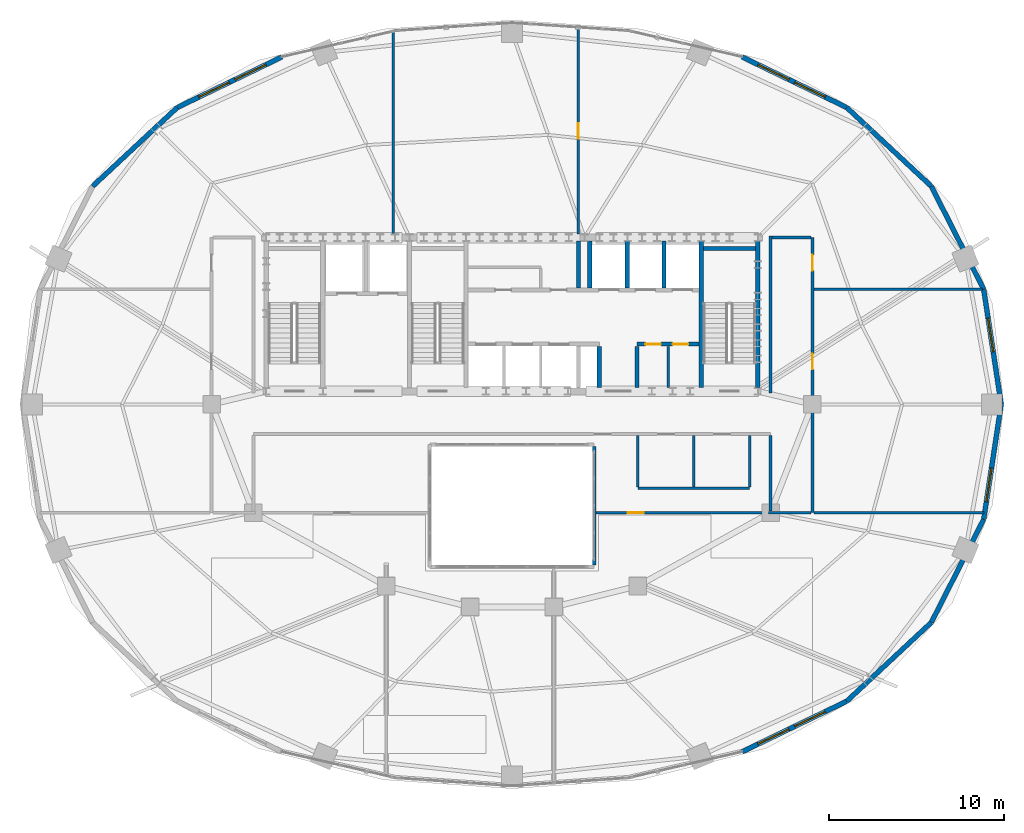
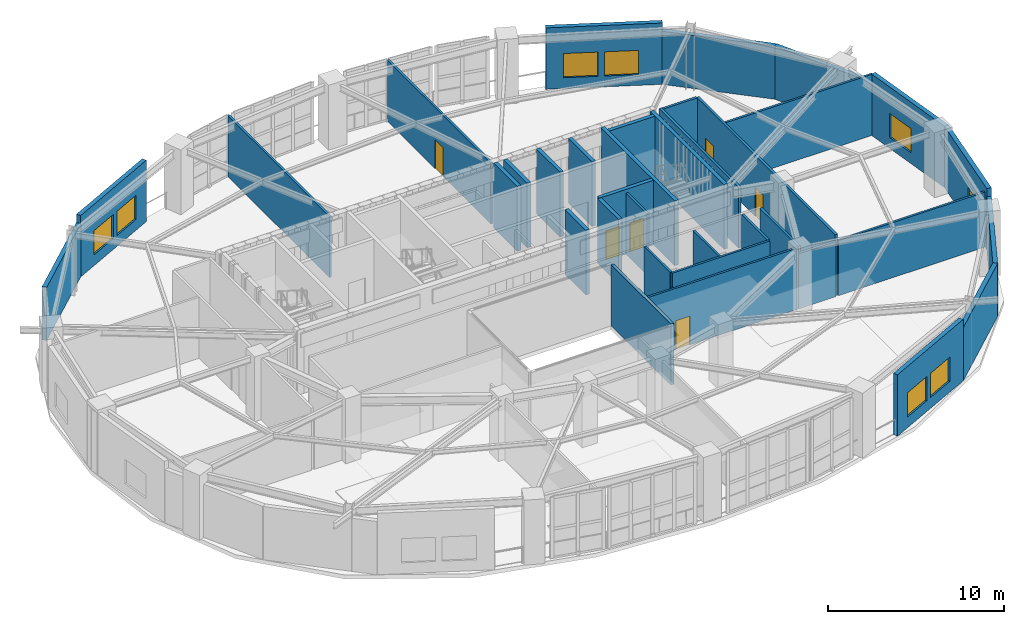
# One storey, part 12 of 16: 36 walls, 8 windows, 6 doors, 14 openings.
"""IFC4 building model written with IfcOpenShell, lengths in metres."""

from ifc_helpers import new_model, si_unit, direction, frame, frame_2d, origin, place, context, subcontext, project, spatial, rectangle, extrude, material, layer, layer_set, type_object, element, fill, save


model = new_model("IFC4")

# Units and contexts
model_context = context("Model", 3, precision=1e-05, world=origin(), true_north=direction((0.0, 1.0)))
body_context = subcontext(model_context, "Body", "Model", "MODEL_VIEW")
ifc_project = project(units=[si_unit("LENGTHUNIT", "METRE"), si_unit("AREAUNIT", "SQUARE_METRE"), si_unit("VOLUMEUNIT", "CUBIC_METRE"), si_unit("PLANEANGLEUNIT", "RADIAN"), si_unit("MASSUNIT", "GRAM", prefix="KILO")], contexts=[model_context])

# Site, building, storey
site_placement = place(None, origin())
site = spatial("IfcSite", under=ifc_project, at=site_placement, CompositionType="ELEMENT")
building_placement = place(site_placement, origin())
building = spatial("IfcBuilding", under=site, at=building_placement, Name="Haldorwick Loom Tower", CompositionType="ELEMENT")
storey_placement = place(building_placement, frame((0.0, 0.0, 200.35009765625)))
storey = spatial("IfcBuildingStorey", under=building, at=storey_placement, Name="L54", CompositionType="ELEMENT", Elevation=200.35009765625)

# Wall, opening, window
ifc_material_1 = material(Name="Pressed Clay Face Brick and Insulated Masonry Backup Assembly", Category="masonry")
ifc_layer_1 = layer(ifc_material_1, 0.280029296875, Name="Pressed Clay Face Brick and Insulated Masonry Backup Assembly", Category="masonry")
ifc_layer_set_1 = layer_set([ifc_layer_1], Name="Pressed Clay Face Brick and Insulated Masonry Backup Assembly")
wall_type_1 = type_object("IfcWallType", Name="ARC-WL-EXT280", PredefinedType="STANDARD", material=ifc_layer_set_1)
wall_1_placement = place(storey_placement, frame((64.00634765625, 26.0, 0.0), z_axis=(0.0, 0.0, 1.0), x_axis=(-0.150467697578, 0.988614926038, 0.0)))
wall_1 = element("IfcWall", 1, at=wall_1_placement, inside=storey, type_object=wall_type_1, Name="L54 Brick Pier and Spandrel Wall 1", PredefinedType="STANDARD", context=body_context, shape_type="SweptSolid", body=[
    extrude(rectangle(XDim=6.66064453125, YDim=0.280029296875, at=frame_2d((3.330322265625, 0.0))), origin(), (0.0, 0.0, 1.0), 4.260009765625),
])
opening_1_placement = place(wall_1_placement, frame((3.047119140625, 0.0, 0.75)))
opening_1 = element("IfcOpeningElement", 2, at=opening_1_placement, cuts=wall_1, Name="Opening W-04B", PredefinedType="OPENING", context=body_context, shape_type="SweptSolid", body=[
    extrude(rectangle(XDim=1.949951171875, YDim=1.679931640625, at=frame_2d((0.97509765625, 0.83984375))), frame((0.0, 0.14990234375, 0.0), z_axis=(0.0, -1.0, 0.0), x_axis=(1.0, 0.0, 0.0)), (0.0, 0.0, 1.0), 0.300048828125),
])
ifc_material_2 = material(Name="Triple-Glazed Low-E Argon Insulated Glazing Unit", Category="glass")
window_type = type_object("IfcWindowType", Name="ARC-WIN-W195", PartitioningType="SINGLE_PANEL", PredefinedType="WINDOW", material=ifc_material_2)
window_1_placement = place(opening_1_placement, origin())
window_1 = element("IfcWindow", 3, at=window_1_placement, inside=storey, type_object=window_type, Name="L54 Deep-Set Zone 7A Window 1", OverallHeight=1.679931640625, OverallWidth=1.949951171875, PartitioningType="SINGLE_PANEL", PredefinedType="WINDOW", context=body_context, shape_type="SweptSolid", body=[
    extrude(rectangle(XDim=1.949951171875, YDim=1.679931640625, at=frame_2d((0.97509765625, 0.83984375))), frame((0.0, 0.030029296875, 0.0), z_axis=(0.0, -1.0, 0.0), x_axis=(1.0, 0.0, 0.0)), (0.0, 0.0, 1.0), 0.06005859375),
])
fill(opening_1, window_1)

# Walls
wall_2_placement = place(storey_placement, frame((63.004150390625, 32.584716796875, 0.0), z_axis=(0.0, 0.0, 1.0), x_axis=(-0.453032066879, 0.89149422117, 0.0)))
element("IfcWall", 4, at=wall_2_placement, inside=storey, type_object=wall_type_1, Name="L54 Brick Pier and Spandrel Wall 2", PredefinedType="STANDARD", context=body_context, shape_type="SweptSolid", body=[
    extrude(rectangle(XDim=6.618896484375, YDim=0.280029296875, at=frame_2d((3.3095703125, 0.0))), origin(), (0.0, 0.0, 1.0), 3.69091796875),
])
wall_3_placement = place(storey_placement, frame((60.005615234375, 38.4853515625, 0.0), z_axis=(0.0, 0.0, 1.0), x_axis=(-0.731833707499, 0.681483253329, 0.0)))
element("IfcWall", 5, at=wall_3_placement, inside=storey, type_object=wall_type_1, Name="L54 Brick Pier and Spandrel Wall 3", PredefinedType="STANDARD", context=body_context, shape_type="SweptSolid", body=[
    extrude(rectangle(XDim=6.61865234375, YDim=0.280029296875, at=frame_2d((3.309326171875, 0.0))), origin(), (0.0, 0.0, 1.0), 3.69091796875),
])

# Wall, openings, windows
wall_4_placement = place(storey_placement, frame((55.161865234375, 42.995849609375, 0.0), z_axis=(0.0, 0.0, 1.0), x_axis=(-0.900371236029, 0.435122554381, 0.0)))
wall_4 = element("IfcWall", 6, at=wall_4_placement, inside=storey, type_object=wall_type_1, Name="L54 Brick Pier and Spandrel Wall 4", PredefinedType="STANDARD", context=body_context, shape_type="SweptSolid", body=[
    extrude(rectangle(XDim=6.6533203125, YDim=0.280029296875, at=frame_2d((3.32666015625, 0.0))), origin(), (0.0, 0.0, 1.0), 4.260009765625),
])
opening_2_placement = place(wall_4_placement, frame((1.36083984375, 0.0, 0.75)))
opening_2 = element("IfcOpeningElement", 7, at=opening_2_placement, cuts=wall_4, Name="Opening W-04B", PredefinedType="OPENING", context=body_context, shape_type="SweptSolid", body=[
    extrude(rectangle(XDim=1.949951171875, YDim=1.679931640625, at=frame_2d((0.97509765625, 0.83984375))), frame((0.0, 0.14990234375, 0.0), z_axis=(0.0, -1.0, 0.0), x_axis=(1.0, 0.0, 0.0)), (0.0, 0.0, 1.0), 0.300048828125),
])
opening_3_placement = place(wall_4_placement, frame((3.682373046875, 0.0, 0.75)))
opening_3 = element("IfcOpeningElement", 8, at=opening_3_placement, cuts=wall_4, Name="Opening W-04B", PredefinedType="OPENING", context=body_context, shape_type="SweptSolid", body=[
    extrude(rectangle(XDim=1.949951171875, YDim=1.679931640625, at=frame_2d((0.97509765625, 0.83984375))), frame((0.0, 0.14990234375, 0.0), z_axis=(0.0, -1.0, 0.0), x_axis=(1.0, 0.0, 0.0)), (0.0, 0.0, 1.0), 0.300048828125),
])
window_2_placement = place(opening_2_placement, origin())
window_2 = element("IfcWindow", 9, at=window_2_placement, inside=storey, type_object=window_type, Name="L54 Deep-Set Zone 7A Window 4", OverallHeight=1.679931640625, OverallWidth=1.949951171875, PartitioningType="SINGLE_PANEL", PredefinedType="WINDOW", context=body_context, shape_type="SweptSolid", body=[
    extrude(rectangle(XDim=1.949951171875, YDim=1.679931640625, at=frame_2d((0.97509765625, 0.83984375))), frame((0.0, 0.030029296875, 0.0), z_axis=(0.0, -1.0, 0.0), x_axis=(1.0, 0.0, 0.0)), (0.0, 0.0, 1.0), 0.06005859375),
])
fill(opening_2, window_2)
window_3_placement = place(opening_3_placement, origin())
window_3 = element("IfcWindow", 10, at=window_3_placement, inside=storey, type_object=window_type, Name="L54 Deep-Set Zone 7A Window 4", OverallHeight=1.679931640625, OverallWidth=1.949951171875, PartitioningType="SINGLE_PANEL", PredefinedType="WINDOW", context=body_context, shape_type="SweptSolid", body=[
    extrude(rectangle(XDim=1.949951171875, YDim=1.679931640625, at=frame_2d((0.97509765625, 0.83984375))), frame((0.0, 0.030029296875, 0.0), z_axis=(0.0, -1.0, 0.0), x_axis=(1.0, 0.0, 0.0)), (0.0, 0.0, 1.0), 0.06005859375),
])
fill(opening_3, window_3)

wall_5_placement = place(storey_placement, frame((22.82861328125, 45.890869140625, 0.0), z_axis=(0.0, 0.0, 1.0), x_axis=(-0.900371236029, -0.435122554381, 0.0)))
wall_5 = element("IfcWall", 11, at=wall_5_placement, inside=storey, type_object=wall_type_1, Name="L54 Brick Pier and Spandrel Wall 9", PredefinedType="STANDARD", context=body_context, shape_type="SweptSolid", body=[
    extrude(rectangle(XDim=6.6533203125, YDim=0.280029296875, at=frame_2d((3.32666015625, 0.0))), origin(), (0.0, 0.0, 1.0), 4.260009765625),
])
opening_4_placement = place(wall_5_placement, frame((1.02099609375, 0.0, 0.75)))
opening_4 = element("IfcOpeningElement", 12, at=opening_4_placement, cuts=wall_5, Name="Opening W-04B", PredefinedType="OPENING", context=body_context, shape_type="SweptSolid", body=[
    extrude(rectangle(XDim=1.949951171875, YDim=1.679931640625, at=frame_2d((0.97509765625, 0.83984375))), frame((0.0, 0.14990234375, 0.0), z_axis=(0.0, -1.0, 0.0), x_axis=(1.0, 0.0, 0.0)), (0.0, 0.0, 1.0), 0.300048828125),
])
opening_5_placement = place(wall_5_placement, frame((3.342529296875, 0.0, 0.75)))
opening_5 = element("IfcOpeningElement", 13, at=opening_5_placement, cuts=wall_5, Name="Opening W-04B", PredefinedType="OPENING", context=body_context, shape_type="SweptSolid", body=[
    extrude(rectangle(XDim=1.949951171875, YDim=1.679931640625, at=frame_2d((0.97509765625, 0.83984375))), frame((0.0, 0.14990234375, 0.0), z_axis=(0.0, -1.0, 0.0), x_axis=(1.0, 0.0, 0.0)), (0.0, 0.0, 1.0), 0.300048828125),
])
window_4_placement = place(opening_4_placement, origin())
window_4 = element("IfcWindow", 14, at=window_4_placement, inside=storey, type_object=window_type, Name="L54 Deep-Set Zone 7A Window 9", OverallHeight=1.679931640625, OverallWidth=1.949951171875, PartitioningType="SINGLE_PANEL", PredefinedType="WINDOW", context=body_context, shape_type="SweptSolid", body=[
    extrude(rectangle(XDim=1.949951171875, YDim=1.679931640625, at=frame_2d((0.97509765625, 0.83984375))), frame((0.0, 0.030029296875, 0.0), z_axis=(0.0, -1.0, 0.0), x_axis=(1.0, 0.0, 0.0)), (0.0, 0.0, 1.0), 0.06005859375),
])
fill(opening_4, window_4)
window_5_placement = place(opening_5_placement, origin())
window_5 = element("IfcWindow", 15, at=window_5_placement, inside=storey, type_object=window_type, Name="L54 Deep-Set Zone 7A Window 9", OverallHeight=1.679931640625, OverallWidth=1.949951171875, PartitioningType="SINGLE_PANEL", PredefinedType="WINDOW", context=body_context, shape_type="SweptSolid", body=[
    extrude(rectangle(XDim=1.949951171875, YDim=1.679931640625, at=frame_2d((0.97509765625, 0.83984375))), frame((0.0, 0.030029296875, 0.0), z_axis=(0.0, -1.0, 0.0), x_axis=(1.0, 0.0, 0.0)), (0.0, 0.0, 1.0), 0.06005859375),
])
fill(opening_5, window_5)

# Wall
wall_6_placement = place(storey_placement, frame((16.838134765625, 42.995849609375, 0.0), z_axis=(0.0, 0.0, 1.0), x_axis=(-0.731833707499, -0.681483253329, 0.0)))
element("IfcWall", 16, at=wall_6_placement, inside=storey, type_object=wall_type_1, Name="L54 Brick Pier and Spandrel Wall 10", PredefinedType="STANDARD", context=body_context, shape_type="SweptSolid", body=[
    extrude(rectangle(XDim=6.61865234375, YDim=0.280029296875, at=frame_2d((3.309326171875, 0.0))), origin(), (0.0, 0.0, 1.0), 3.69091796875),
])

# Wall, openings, windows
wall_7_placement = place(storey_placement, frame((49.17138671875, 6.109130859375, 0.0), z_axis=(0.0, 0.0, 1.0), x_axis=(0.900371236029, 0.435122554381, 0.0)))
wall_7 = element("IfcWall", 17, at=wall_7_placement, inside=storey, type_object=wall_type_1, Name="L54 Brick Pier and Spandrel Wall 21", PredefinedType="STANDARD", context=body_context, shape_type="SweptSolid", body=[
    extrude(rectangle(XDim=6.6533203125, YDim=0.280029296875, at=frame_2d((3.32666015625, 0.0))), origin(), (0.0, 0.0, 1.0), 4.260009765625),
])
opening_6_placement = place(wall_7_placement, frame((1.02099609375, 0.0, 0.75)))
opening_6 = element("IfcOpeningElement", 18, at=opening_6_placement, cuts=wall_7, Name="Opening W-04B", PredefinedType="OPENING", context=body_context, shape_type="SweptSolid", body=[
    extrude(rectangle(XDim=1.949951171875, YDim=1.679931640625, at=frame_2d((0.97509765625, 0.83984375))), frame((0.0, 0.14990234375, 0.0), z_axis=(0.0, -1.0, 0.0), x_axis=(1.0, 0.0, 0.0)), (0.0, 0.0, 1.0), 0.300048828125),
])
opening_7_placement = place(wall_7_placement, frame((3.342529296875, 0.0, 0.75)))
opening_7 = element("IfcOpeningElement", 19, at=opening_7_placement, cuts=wall_7, Name="Opening W-04B", PredefinedType="OPENING", context=body_context, shape_type="SweptSolid", body=[
    extrude(rectangle(XDim=1.949951171875, YDim=1.679931640625, at=frame_2d((0.97509765625, 0.83984375))), frame((0.0, 0.14990234375, 0.0), z_axis=(0.0, -1.0, 0.0), x_axis=(1.0, 0.0, 0.0)), (0.0, 0.0, 1.0), 0.300048828125),
])
window_6_placement = place(opening_6_placement, origin())
window_6 = element("IfcWindow", 20, at=window_6_placement, inside=storey, type_object=window_type, Name="L54 Deep-Set Zone 7A Window 21", OverallHeight=1.679931640625, OverallWidth=1.949951171875, PartitioningType="SINGLE_PANEL", PredefinedType="WINDOW", context=body_context, shape_type="SweptSolid", body=[
    extrude(rectangle(XDim=1.949951171875, YDim=1.679931640625, at=frame_2d((0.97509765625, 0.83984375))), frame((0.0, 0.030029296875, 0.0), z_axis=(0.0, -1.0, 0.0), x_axis=(1.0, 0.0, 0.0)), (0.0, 0.0, 1.0), 0.06005859375),
])
fill(opening_6, window_6)
window_7_placement = place(opening_7_placement, origin())
window_7 = element("IfcWindow", 21, at=window_7_placement, inside=storey, type_object=window_type, Name="L54 Deep-Set Zone 7A Window 21", OverallHeight=1.679931640625, OverallWidth=1.949951171875, PartitioningType="SINGLE_PANEL", PredefinedType="WINDOW", context=body_context, shape_type="SweptSolid", body=[
    extrude(rectangle(XDim=1.949951171875, YDim=1.679931640625, at=frame_2d((0.97509765625, 0.83984375))), frame((0.0, 0.030029296875, 0.0), z_axis=(0.0, -1.0, 0.0), x_axis=(1.0, 0.0, 0.0)), (0.0, 0.0, 1.0), 0.06005859375),
])
fill(opening_7, window_7)

# Walls
wall_8_placement = place(storey_placement, frame((55.161865234375, 9.004150390625, 0.0), z_axis=(0.0, 0.0, 1.0), x_axis=(0.731833707499, 0.681483253329, 0.0)))
element("IfcWall", 22, at=wall_8_placement, inside=storey, type_object=wall_type_1, Name="L54 Brick Pier and Spandrel Wall 22", PredefinedType="STANDARD", context=body_context, shape_type="SweptSolid", body=[
    extrude(rectangle(XDim=6.61865234375, YDim=0.280029296875, at=frame_2d((3.309326171875, 0.0))), origin(), (0.0, 0.0, 1.0), 3.69091796875),
])
wall_9_placement = place(storey_placement, frame((60.005615234375, 13.5146484375, 0.0), z_axis=(0.0, 0.0, 1.0), x_axis=(0.453032066879, 0.89149422117, 0.0)))
element("IfcWall", 23, at=wall_9_placement, inside=storey, type_object=wall_type_1, Name="L54 Brick Pier and Spandrel Wall 23", PredefinedType="STANDARD", context=body_context, shape_type="SweptSolid", body=[
    extrude(rectangle(XDim=6.618896484375, YDim=0.280029296875, at=frame_2d((3.3095703125, 0.0))), origin(), (0.0, 0.0, 1.0), 3.69091796875),
])

# Wall, opening, window
wall_10_placement = place(storey_placement, frame((63.004150390625, 19.415283203125, 0.0), z_axis=(0.0, 0.0, 1.0), x_axis=(0.150467697578, 0.988614926038, 0.0)))
wall_10 = element("IfcWall", 24, at=wall_10_placement, inside=storey, type_object=wall_type_1, Name="L54 Brick Pier and Spandrel Wall 24", PredefinedType="STANDARD", context=body_context, shape_type="SweptSolid", body=[
    extrude(rectangle(XDim=6.66064453125, YDim=0.280029296875, at=frame_2d((3.330322265625, 0.0))), origin(), (0.0, 0.0, 1.0), 4.260009765625),
])
opening_8_placement = place(wall_10_placement, frame((1.023193359375, 0.0, 0.75)))
opening_8 = element("IfcOpeningElement", 25, at=opening_8_placement, cuts=wall_10, Name="Opening W-04B", PredefinedType="OPENING", context=body_context, shape_type="SweptSolid", body=[
    extrude(rectangle(XDim=1.949951171875, YDim=1.679931640625, at=frame_2d((0.97509765625, 0.83984375))), frame((0.0, 0.14990234375, 0.0), z_axis=(0.0, -1.0, 0.0), x_axis=(1.0, 0.0, 0.0)), (0.0, 0.0, 1.0), 0.300048828125),
])
window_8_placement = place(opening_8_placement, origin())
window_8 = element("IfcWindow", 26, at=window_8_placement, inside=storey, type_object=window_type, Name="L54 Deep-Set Zone 7A Window 24", OverallHeight=1.679931640625, OverallWidth=1.949951171875, PartitioningType="SINGLE_PANEL", PredefinedType="WINDOW", context=body_context, shape_type="SweptSolid", body=[
    extrude(rectangle(XDim=1.949951171875, YDim=1.679931640625, at=frame_2d((0.97509765625, 0.83984375))), frame((0.0, 0.030029296875, 0.0), z_axis=(0.0, -1.0, 0.0), x_axis=(1.0, 0.0, 0.0)), (0.0, 0.0, 1.0), 0.06005859375),
])
fill(opening_8, window_8)

# Wall, openings, doors
ifc_material_3 = material(Name="Fire-Rated Type X Gypsum Stud Assembly EI 60")
ifc_layer_2 = layer(ifc_material_3, 0.159912109375, Name="Fire-Rated Type X Gypsum Stud Assembly EI 60")
ifc_layer_set_2 = layer_set([ifc_layer_2], Name="Fire-Rated Type X Gypsum Stud Assembly EI 60")
wall_type_2 = type_object("IfcWallType", Name="ARC-WL-FIRE160", PredefinedType="PARTITIONING", material=ifc_layer_set_2)
wall_11_placement = place(storey_placement, frame((53.199951171875, 19.800048828125, 0.0), z_axis=(0.0, 0.0, 1.0), x_axis=(0.0, 1.0, 0.0)))
wall_11 = element("IfcWall", 27, at=wall_11_placement, inside=storey, type_object=wall_type_2, Name="L54 Interior Partition L54-CE0", PredefinedType="PARTITIONING", context=body_context, shape_type="SweptSolid", body=[
    extrude(rectangle(XDim=15.75, YDim=0.159912109375, at=frame_2d((7.875, 0.0))), origin(), (0.0, 0.0, 1.0), 4.244873046875),
])
opening_9_placement = place(wall_11_placement, frame((8.202880859375, 0.0, 0.0)))
opening_9 = element("IfcOpeningElement", 28, at=opening_9_placement, cuts=wall_11, Name="Opening D-FD60A", PredefinedType="OPENING", context=body_context, shape_type="SweptSolid", body=[
    extrude(rectangle(XDim=0.89990234375, YDim=2.0, at=frame_2d((0.449951171875, 1.0))), frame((0.0, 0.08984375, 0.0), z_axis=(0.0, -1.0, 0.0), x_axis=(1.0, 0.0, 0.0)), (0.0, 0.0, 1.0), 0.179931640625),
])
opening_10_placement = place(wall_11_placement, frame((13.858154296875, 0.0, 0.0)))
opening_10 = element("IfcOpeningElement", 29, at=opening_10_placement, cuts=wall_11, Name="Opening D-FD60A", PredefinedType="OPENING", context=body_context, shape_type="SweptSolid", body=[
    extrude(rectangle(XDim=0.89990234375, YDim=2.0, at=frame_2d((0.449951171875, 1.0))), frame((0.0, 0.08984375, 0.0), z_axis=(0.0, -1.0, 0.0), x_axis=(1.0, 0.0, 0.0)), (0.0, 0.0, 1.0), 0.179931640625),
])
ifc_material_4 = material(Name="Hollow Steel Fire Door Assembly", Category="steel")
door_type = type_object("IfcDoorType", Name="ARC-DR-FD60-90", OperationType="NOTDEFINED", PredefinedType="DOOR", material=ifc_material_4)
door_1_placement = place(opening_9_placement, origin())
door_1 = element("IfcDoor", 30, at=door_1_placement, inside=storey, type_object=door_type, Name="L54 L54 Central Transfer Corridor to Sky Observatory Reception 7 Door", OperationType="SINGLE_SWING_LEFT", OverallHeight=2.0, OverallWidth=0.89990234375, PredefinedType="DOOR", context=body_context, shape_type="SweptSolid", body=[
    extrude(rectangle(XDim=0.89990234375, YDim=2.0, at=frame_2d((0.449951171875, 1.0))), frame((0.0, 0.02490234375, 0.0), z_axis=(0.0, -1.0, 0.0), x_axis=(1.0, 0.0, 0.0)), (0.0, 0.0, 1.0), 0.050048828125),
])
fill(opening_9, door_1)
door_2_placement = place(opening_10_placement, origin())
door_2 = element("IfcDoor", 31, at=door_2_placement, inside=storey, type_object=door_type, Name="L54 L54 Central Transfer Corridor to Board Meeting Room 10 Door", OperationType="SINGLE_SWING_LEFT", OverallHeight=2.0, OverallWidth=0.89990234375, PredefinedType="DOOR", context=body_context, shape_type="SweptSolid", body=[
    extrude(rectangle(XDim=0.89990234375, YDim=2.0, at=frame_2d((0.449951171875, 1.0))), frame((0.0, 0.02490234375, 0.0), z_axis=(0.0, -1.0, 0.0), x_axis=(1.0, 0.0, 0.0)), (0.0, 0.0, 1.0), 0.050048828125),
])
fill(opening_10, door_2)

# Walls
wall_12_placement = place(storey_placement, frame((50.679931640625, 19.800048828125, 0.0), z_axis=(0.0, 0.0, 1.0), x_axis=(1.0, 0.0, 0.0)))
element("IfcWall", 32, at=wall_12_placement, inside=storey, type_object=wall_type_2, Name="L54 Interior Partition L54-CES", PredefinedType="PARTITIONING", context=body_context, shape_type="SweptSolid", body=[
    extrude(rectangle(XDim=2.43701171875, YDim=0.159912109375, at=frame_2d((1.218505859375, 0.0))), origin(), (0.0, 0.0, 1.0), 3.822021484375),
])
wall_13_placement = place(storey_placement, frame((50.800048828125, 19.883056640625, 0.0), z_axis=(0.0, 0.0, 1.0), x_axis=(0.0, 1.0, 0.0)))
element("IfcWall", 33, at=wall_13_placement, inside=storey, type_object=wall_type_2, Name="L54 Interior Partition L54-CE1", PredefinedType="PARTITIONING", context=body_context, shape_type="SweptSolid", body=[
    extrude(rectangle(XDim=4.333984375, YDim=0.159912109375, at=frame_2d((2.1669921875, 0.0))), origin(), (0.0, 0.0, 1.0), 4.244873046875),
])
wall_14_placement = place(storey_placement, frame((50.800048828125, 26.64990234375, 0.0), z_axis=(0.0, 0.0, 1.0), x_axis=(0.0, 1.0, 0.0)))
element("IfcWall", 34, at=wall_14_placement, inside=storey, type_object=wall_type_2, Name="L54 Interior Partition L54-CE2", PredefinedType="PARTITIONING", context=body_context, shape_type="SweptSolid", body=[
    extrude(rectangle(XDim=9.0, YDim=0.159912109375, at=frame_2d((4.5, 0.0))), origin(), (0.0, 0.0, 1.0), 4.244873046875),
])
wall_15_placement = place(storey_placement, frame((50.883056640625, 35.550048828125, 0.0), z_axis=(0.0, 0.0, 1.0), x_axis=(1.0, 0.0, 0.0)))
element("IfcWall", 35, at=wall_15_placement, inside=storey, type_object=wall_type_2, Name="L54 Interior Partition L54-CEN", PredefinedType="PARTITIONING", context=body_context, shape_type="SweptSolid", body=[
    extrude(rectangle(XDim=2.23388671875, YDim=0.159912109375, at=frame_2d((1.116943359375, 0.0))), origin(), (0.0, 0.0, 1.0), 4.244873046875),
])
ifc_material_5 = material(Name="Fire-Rated Type X Gypsum Stud Assembly EI 120")
ifc_layer_3 = layer(ifc_material_5, 0.199951171875, Name="Fire-Rated Type X Gypsum Stud Assembly EI 120")
ifc_layer_set_3 = layer_set([ifc_layer_3], Name="Fire-Rated Type X Gypsum Stud Assembly EI 120")
wall_type_3 = type_object("IfcWallType", Name="ARC-WL-FIRE200", PredefinedType="PARTITIONING", material=ifc_layer_set_3)
wall_16_placement = place(storey_placement, frame((40.699951171875, 23.596923828125, 0.0), z_axis=(0.0, 0.0, 1.0), x_axis=(0.0, -1.0, 0.0)))
element("IfcWall", 36, at=wall_16_placement, inside=storey, type_object=wall_type_3, Name="L54 Atrium Fire Wall", PredefinedType="PARTITIONING", context=body_context, shape_type="SweptSolid", body=[
    extrude(rectangle(XDim=6.7939453125, YDim=0.199951171875, at=frame_2d((3.39697265625, 0.0))), origin(), (0.0, 0.0, 1.0), 4.244873046875),
])
ifc_layer_4 = layer(ifc_material_3, 0.139892578125, Name="Fire-Rated Type X Gypsum Stud Assembly EI 60")
ifc_layer_set_4 = layer_set([ifc_layer_4], Name="Fire-Rated Type X Gypsum Stud Assembly EI 60")
wall_type_4 = type_object("IfcWallType", Name="ARC-WL-PART140", PredefinedType="PARTITIONING", material=ifc_layer_set_4)
wall_17_placement = place(storey_placement, frame((44.949951171875, 26.952880859375, 0.0), z_axis=(0.0, 0.0, 1.0), x_axis=(0.0, 1.0, 0.0)))
element("IfcWall", 37, at=wall_17_placement, inside=storey, type_object=wall_type_4, Name="L54 Service Partition", PredefinedType="PARTITIONING", context=body_context, shape_type="SweptSolid", body=[
    extrude(rectangle(XDim=2.3740234375, YDim=0.139892578125, at=frame_2d((1.18701171875, 0.0))), origin(), (0.0, 0.0, 1.0), 4.244873046875),
])
wall_18_placement = place(storey_placement, frame((43.199951171875, 21.199951171875, 0.0), z_axis=(0.0, 0.0, 1.0), x_axis=(1.0, 0.0, 0.0)))
element("IfcWall", 38, at=wall_18_placement, inside=storey, type_object=wall_type_4, Name="L54 Interior Partition L54-WC1", PredefinedType="PARTITIONING", context=body_context, shape_type="SweptSolid", body=[
    extrude(rectangle(XDim=6.400146484375, YDim=0.139892578125, at=frame_2d((3.2001953125, 0.0))), origin(), (0.0, 0.0, 1.0), 4.244873046875),
])
for number, where, z_axis, x_axis, name in (
    (39, (46.39990234375, 21.27294921875, 0.0), (0.0, 0.0, 1.0), (0.0, 1.0, 0.0), "L54 Interior Partition L54-WC2"),
    (40, (43.199951171875, 21.27294921875, 0.0), (0.0, 0.0, 1.0), (0.0, 1.0, 0.0), "L54 Interior Partition L54-WC3"),
    (41, (49.60009765625, 21.27294921875, 0.0), (0.0, 0.0, 1.0), (0.0, 1.0, 0.0), "L54 Interior Partition L54-WC4"),
):
    element("IfcWall", number, at=place(storey_placement, frame(where, z_axis=z_axis, x_axis=x_axis)), inside=storey, type_object=wall_type_4, Name=name, PredefinedType="PARTITIONING", context=body_context, shape_type="SweptSolid", body=[
        extrude(rectangle(XDim=2.944091796875, YDim=0.139892578125, at=frame_2d((1.47216796875, 0.0))), origin(), (0.0, 0.0, 1.0), 4.244873046875),
    ])

# Wall, opening, door
wall_19_placement = place(storey_placement, frame((40.802978515625, 19.800048828125, 0.0), z_axis=(0.0, 0.0, 1.0), x_axis=(1.0, 0.0, 0.0)))
wall_19 = element("IfcWall", 42, at=wall_19_placement, inside=storey, type_object=wall_type_4, Name="L54 Interior Partition L54-EL-S", PredefinedType="PARTITIONING", context=body_context, shape_type="SweptSolid", body=[
    extrude(rectangle(XDim=9.876953125, YDim=0.139892578125, at=frame_2d((4.9384765625, 0.0))), origin(), (0.0, 0.0, 1.0), 4.244873046875),
])
opening_11_placement = place(wall_19_placement, frame((1.8359375, 0.0, 0.0)))
opening_11 = element("IfcOpeningElement", 43, at=opening_11_placement, cuts=wall_19, Name="Opening D-FD60A", PredefinedType="OPENING", context=body_context, shape_type="SweptSolid", body=[
    extrude(rectangle(XDim=0.89990234375, YDim=2.0, at=frame_2d((0.449951171875, 1.0))), frame((0.0, 0.079833984375, 0.0), z_axis=(0.0, -1.0, 0.0), x_axis=(1.0, 0.0, 0.0)), (0.0, 0.0, 1.0), 0.159912109375),
])
door_3_placement = place(opening_11_placement, origin())
door_3 = element("IfcDoor", 44, at=door_3_placement, inside=storey, type_object=door_type, Name="L54 Community Dining Hall 3 to Sky Observatory Reception 2 Door", OperationType="SINGLE_SWING_LEFT", OverallHeight=2.0, OverallWidth=0.89990234375, PredefinedType="DOOR", context=body_context, shape_type="SweptSolid", body=[
    extrude(rectangle(XDim=0.89990234375, YDim=2.0, at=frame_2d((0.449951171875, 1.0))), frame((0.0, 0.02490234375, 0.0), z_axis=(0.0, -1.0, 0.0), x_axis=(1.0, 0.0, 0.0)), (0.0, 0.0, 1.0), 0.050048828125),
])
fill(opening_11, door_3)

# Walls
wall_20_placement = place(storey_placement, frame((53.282958984375, 19.800048828125, 0.0), z_axis=(0.0, 0.0, 1.0), x_axis=(1.0, 0.0, 0.0)))
element("IfcWall", 45, at=wall_20_placement, inside=storey, type_object=wall_type_4, Name="L54 Interior Partition L54-EL-S", PredefinedType="PARTITIONING", context=body_context, shape_type="SweptSolid", body=[
    extrude(rectangle(XDim=9.734130859375, YDim=0.139892578125, at=frame_2d((4.8671875, 0.0))), origin(), (0.0, 0.0, 1.0), 3.822021484375),
])
wall_21_placement = place(storey_placement, frame((53.282958984375, 32.60009765625, 0.0), z_axis=(0.0, 0.0, 1.0), x_axis=(1.0, 0.0, 0.0)))
element("IfcWall", 46, at=wall_21_placement, inside=storey, type_object=wall_type_4, Name="L54 Interior Partition L54-EL-N", PredefinedType="PARTITIONING", context=body_context, shape_type="SweptSolid", body=[
    extrude(rectangle(XDim=9.662841796875, YDim=0.139892578125, at=frame_2d((4.83154296875, 0.0))), origin(), (0.0, 0.0, 1.0), 4.244873046875),
])
wall_22_placement = place(storey_placement, frame((29.199951171875, 35.7529296875, 0.0), z_axis=(0.0, 0.0, 1.0), x_axis=(0.0, 1.0, 0.0)))
element("IfcWall", 47, at=wall_22_placement, inside=storey, type_object=wall_type_4, Name="L54 Interior Partition L54-N-0", PredefinedType="PARTITIONING", context=body_context, shape_type="SweptSolid", body=[
    extrude(rectangle(XDim=11.55712890625, YDim=0.139892578125, at=frame_2d((5.778564453125, 0.0))), origin(), (0.0, 0.0, 1.0), 4.244873046875),
])

# Wall, opening, door
wall_23_placement = place(storey_placement, frame((39.800048828125, 35.7529296875, 0.0), z_axis=(0.0, 0.0, 1.0), x_axis=(0.0, 1.0, 0.0)))
wall_23 = element("IfcWall", 48, at=wall_23_placement, inside=storey, type_object=wall_type_4, Name="L54 Interior Partition L54-N-1", PredefinedType="PARTITIONING", context=body_context, shape_type="SweptSolid", body=[
    extrude(rectangle(XDim=11.785888671875, YDim=0.139892578125, at=frame_2d((5.89306640625, 0.0))), origin(), (0.0, 0.0, 1.0), 4.244873046875),
])
opening_12_placement = place(wall_23_placement, frame((5.452880859375, 0.0, 0.0)))
opening_12 = element("IfcOpeningElement", 49, at=opening_12_placement, cuts=wall_23, Name="Opening D-FD60A", PredefinedType="OPENING", context=body_context, shape_type="SweptSolid", body=[
    extrude(rectangle(XDim=0.89990234375, YDim=2.0, at=frame_2d((0.449951171875, 1.0))), frame((0.0, 0.079833984375, 0.0), z_axis=(0.0, -1.0, 0.0), x_axis=(1.0, 0.0, 0.0)), (0.0, 0.0, 1.0), 0.159912109375),
])
door_4_placement = place(opening_12_placement, frame((0.89990234375, 0.0, 0.0), z_axis=(0.0, 0.0, 1.0), x_axis=(-1.0, 0.0, 0.0)))
door_4 = element("IfcDoor", 50, at=door_4_placement, inside=storey, type_object=door_type, Name="L54 Mid-to-High Sky Observatory Salon 11 to Board Meeting Room 10 Door", OperationType="SINGLE_SWING_RIGHT", OverallHeight=2.0, OverallWidth=0.89990234375, PredefinedType="DOOR", context=body_context, shape_type="SweptSolid", body=[
    extrude(rectangle(XDim=0.89990234375, YDim=2.0, at=frame_2d((0.449951171875, 1.0))), frame((0.0, 0.02490234375, 0.0), z_axis=(0.0, -1.0, 0.0), x_axis=(1.0, 0.0, 0.0)), (0.0, 0.0, 1.0), 0.050048828125),
])
fill(opening_12, door_4)

# Walls
ifc_material_6 = material(Name="Concrete C50 (50 MPa)", Category="concrete")
ifc_layer_5 = layer(ifc_material_6, 0.239990234375, Name="Concrete C50 (50 MPa)", Category="concrete")
ifc_layer_set_5 = layer_set([ifc_layer_5], Name="Concrete C50 (50 MPa)")
wall_type_5 = type_object("IfcWallType", Name="STR-WL-SHAFT240", PredefinedType="SHEAR", material=ifc_layer_set_5)
for number, where, z_axis, x_axis, name in (
    (51, (50.070068359375, 26.952880859375, 0.0), (0.0, 0.0, 1.0), (0.0, 1.0, 0.0), "L54 Core Shear Wall E"),
    (52, (46.830078125, 26.952880859375, 0.0), (0.0, 0.0, 1.0), (0.0, 1.0, 0.0), "L54 Core Shear Wall 4"),
):
    element("IfcWall", number, at=place(storey_placement, frame(where, z_axis=z_axis, x_axis=x_axis)), inside=storey, type_object=wall_type_5, Name=name, PredefinedType="SHEAR", context=body_context, shape_type="SweptSolid", body=[
        extrude(rectangle(XDim=8.39404296875, YDim=0.239990234375, at=frame_2d((4.197021484375, 0.0))), origin(), (0.0, 0.0, 1.0), 4.5),
    ])
wall_24_placement = place(storey_placement, frame((46.952880859375, 34.919921875, 0.0), z_axis=(0.0, 0.0, 1.0), x_axis=(1.0, 0.0, 0.0)))
element("IfcWall", 53, at=wall_24_placement, inside=storey, type_object=wall_type_5, Name="L54 Core Shear Wall 4N", PredefinedType="SHEAR", context=body_context, shape_type="SweptSolid", body=[
    extrude(rectangle(XDim=2.994140625, YDim=0.239990234375, at=frame_2d((1.4970703125, 0.0))), origin(), (0.0, 0.0, 1.0), 4.5),
])

# Wall, openings, doors
wall_25_placement = place(storey_placement, frame((43.14990234375, 29.449951171875, 0.0), z_axis=(0.0, 0.0, 1.0), x_axis=(1.0, 0.0, 0.0)))
wall_25 = element("IfcWall", 54, at=wall_25_placement, inside=storey, type_object=wall_type_5, Name="L54 Core Shear Wall LS2", PredefinedType="SHEAR", context=body_context, shape_type="SweptSolid", body=[
    extrude(rectangle(XDim=3.55712890625, YDim=0.239990234375, at=frame_2d((1.778564453125, 0.0))), origin(), (0.0, 0.0, 1.0), 4.5),
])
opening_13_placement = place(wall_25_placement, frame((0.47998046875, 0.0, 0.0)))
opening_13 = element("IfcOpeningElement", 55, at=opening_13_placement, cuts=wall_25, Name="Opening D-FD60A", PredefinedType="OPENING", context=body_context, shape_type="SweptSolid", body=[
    extrude(rectangle(XDim=0.89990234375, YDim=2.0, at=frame_2d((0.449951171875, 1.0))), frame((0.0, 0.1298828125, 0.0), z_axis=(0.0, -1.0, 0.0), x_axis=(1.0, 0.0, 0.0)), (0.0, 0.0, 1.0), 0.260009765625),
])
opening_14_placement = place(wall_25_placement, frame((2.050048828125, 0.0, 0.0)))
opening_14 = element("IfcOpeningElement", 56, at=opening_14_placement, cuts=wall_25, Name="Opening D-FD60A", PredefinedType="OPENING", context=body_context, shape_type="SweptSolid", body=[
    extrude(rectangle(XDim=0.89990234375, YDim=2.0, at=frame_2d((0.449951171875, 1.0))), frame((0.0, 0.1298828125, 0.0), z_axis=(0.0, -1.0, 0.0), x_axis=(1.0, 0.0, 0.0)), (0.0, 0.0, 1.0), 0.260009765625),
])
door_5_placement = place(opening_13_placement, origin())
door_5 = element("IfcDoor", 57, at=door_5_placement, inside=storey, type_object=door_type, Name="L54 Electrical Room Door", OperationType="SINGLE_SWING_LEFT", OverallHeight=2.0, OverallWidth=0.89990234375, PredefinedType="DOOR", context=body_context, shape_type="SweptSolid", body=[
    extrude(rectangle(XDim=0.89990234375, YDim=2.0, at=frame_2d((0.449951171875, 1.0))), frame((0.0, 0.02490234375, 0.0), z_axis=(0.0, -1.0, 0.0), x_axis=(1.0, 0.0, 0.0)), (0.0, 0.0, 1.0), 0.050048828125),
])
fill(opening_13, door_5)
door_6_placement = place(opening_14_placement, origin())
door_6 = element("IfcDoor", 58, at=door_6_placement, inside=storey, type_object=door_type, Name="L54 Cleaner's Store Door", OperationType="SINGLE_SWING_LEFT", OverallHeight=2.0, OverallWidth=0.89990234375, PredefinedType="DOOR", context=body_context, shape_type="SweptSolid", body=[
    extrude(rectangle(XDim=0.89990234375, YDim=2.0, at=frame_2d((0.449951171875, 1.0))), frame((0.0, 0.02490234375, 0.0), z_axis=(0.0, -1.0, 0.0), x_axis=(1.0, 0.0, 0.0)), (0.0, 0.0, 1.0), 0.050048828125),
])
fill(opening_14, door_6)

# Walls
for number, where, z_axis, x_axis, name in (
    (59, (41.0, 26.952880859375, 0.0), (0.0, 0.0, 1.0), (0.0, 1.0, 0.0), "L54 Core Shear Wall THW"),
    (60, (43.14990234375, 26.952880859375, 0.0), (0.0, 0.0, 1.0), (0.0, 1.0, 0.0), "L54 Core Shear Wall THE"),
):
    element("IfcWall", number, at=place(storey_placement, frame(where, z_axis=z_axis, x_axis=x_axis)), inside=storey, type_object=wall_type_5, Name=name, PredefinedType="SHEAR", context=body_context, shape_type="SweptSolid", body=[
        extrude(rectangle(XDim=2.3740234375, YDim=0.239990234375, at=frame_2d((1.18701171875, 0.0))), origin(), (0.0, 0.0, 1.0), 4.5),
    ])
for number, where, z_axis, x_axis, name in (
    (61, (39.800048828125, 32.673095703125, 0.0), (0.0, 0.0, 1.0), (0.0, 1.0, 0.0), "L54 Core Shear Wall LHW"),
    (62, (40.449951171875, 32.673095703125, 0.0), (0.0, 0.0, 1.0), (0.0, 1.0, 0.0), "L54 Core Shear Wall H0"),
    (63, (42.60009765625, 32.673095703125, 0.0), (0.0, 0.0, 1.0), (0.0, 1.0, 0.0), "L54 Core Shear Wall H1"),
    (64, (44.699951171875, 32.673095703125, 0.0), (0.0, 0.0, 1.0), (0.0, 1.0, 0.0), "L54 Core Shear Wall H2"),
):
    element("IfcWall", number, at=place(storey_placement, frame(where, z_axis=z_axis, x_axis=x_axis)), inside=storey, type_object=wall_type_5, Name=name, PredefinedType="SHEAR", context=body_context, shape_type="SweptSolid", body=[
        extrude(rectangle(XDim=2.673828125, YDim=0.239990234375, at=frame_2d((1.3369140625, 0.0))), origin(), (0.0, 0.0, 1.0), 4.5),
    ])

save(model, "model.ifc")
